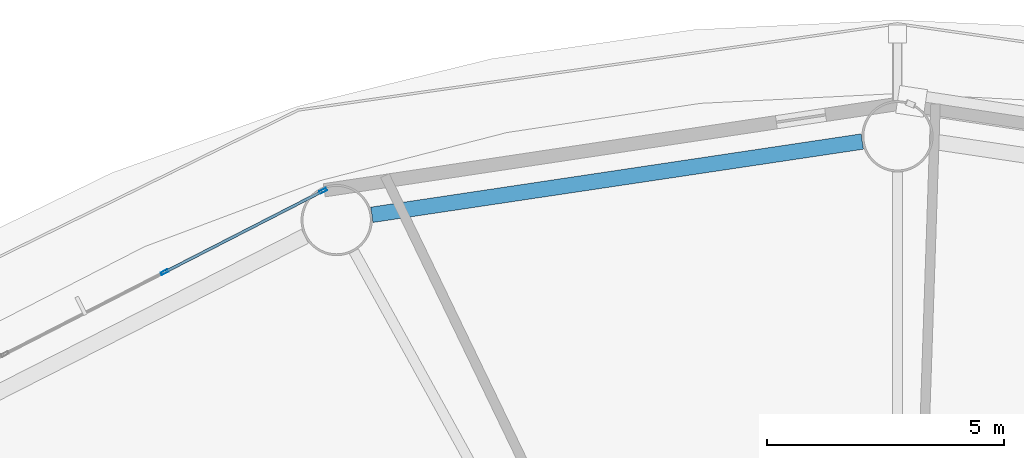
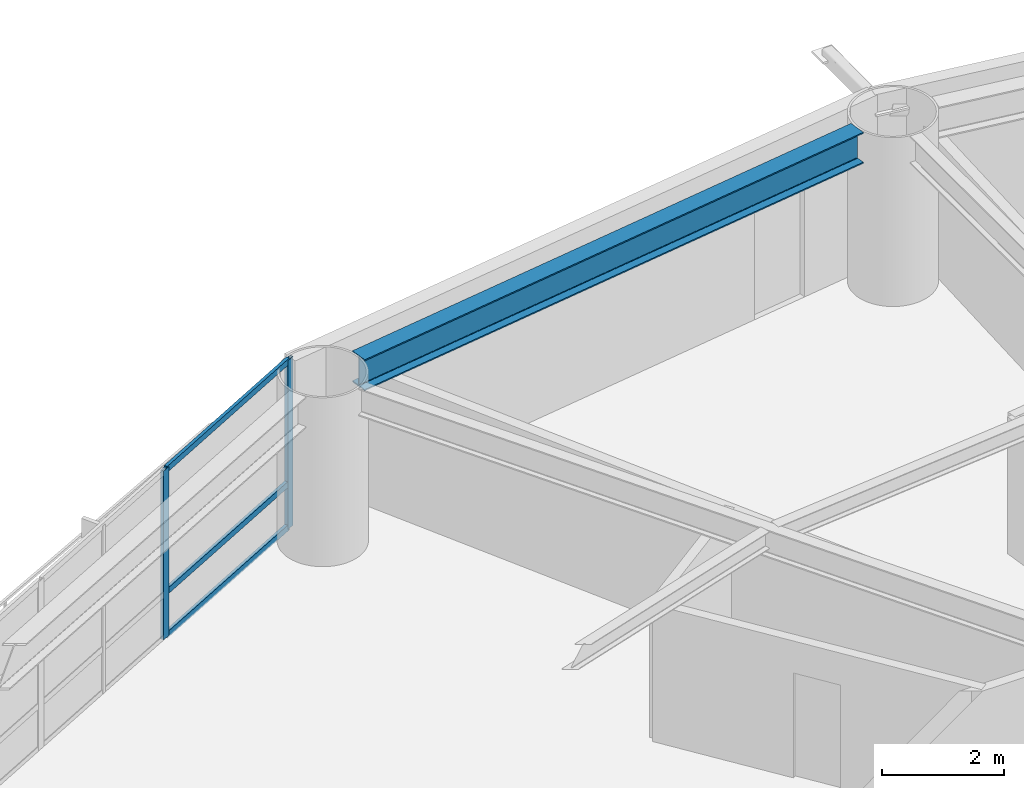
# One storey, part 12 of 28: 5 members, 1 beam, 1 element without a shape of its own.
"""IFC4 building model written with IfcOpenShell, lengths in metres."""

from ifc_helpers import new_model, si_unit, direction, frame, origin, origin_2d, place, context, subcontext, project, spatial, hollow_rectangle, i_section, extrude, material, layer, layer_set, material_profile, profile_set, type_object, element, aggregate, save


model = new_model("IFC4")

# Units and contexts
model_context = context("Model", 3, precision=1e-05, world=origin(), true_north=direction((0.0, 1.0)))
body_context = subcontext(model_context, "Body", "Model", "MODEL_VIEW")
ifc_project = project(units=[si_unit("LENGTHUNIT", "METRE"), si_unit("AREAUNIT", "SQUARE_METRE"), si_unit("VOLUMEUNIT", "CUBIC_METRE"), si_unit("PLANEANGLEUNIT", "RADIAN"), si_unit("MASSUNIT", "GRAM", prefix="KILO")], contexts=[model_context])

# Site, building, storey
site_placement = place(None, origin())
site = spatial("IfcSite", under=ifc_project, at=site_placement, CompositionType="ELEMENT")
building_placement = place(site_placement, origin())
building = spatial("IfcBuilding", under=site, at=building_placement, Name="Sarneth Arch Tower", CompositionType="ELEMENT")
storey_placement = place(building_placement, frame((0.0, 0.0, 31.800048828125)))
storey = spatial("IfcBuildingStorey", under=building, at=storey_placement, Name="L06", CompositionType="ELEMENT", Elevation=31.800048828125)

# Beam
ifc_material_1 = material(Name="Steel S355", Category="steel")
ifc_material_profile_1 = material_profile(ifc_material_1, i_section(OverallWidth=0.326904296875, OverallDepth=0.6220703125, WebThickness=0.015380859375, FlangeThickness=0.0244140625, FilletRadius=0.01904296875, at=origin_2d()), Name="W610x195")
ifc_profile_set_1 = profile_set([ifc_material_profile_1], Name="Steel S355")
beam_type = type_object("IfcBeamType", Name="BM-SPAN-610A", PredefinedType="SPANDREL", material=ifc_profile_set_1)
beam_placement = place(storey_placement, frame((47.25830078125, 65.089111328125, 3.06884765625), z_axis=(-0.989020169581, -0.147780594675, 0.0), x_axis=(0.147780594675, -0.989020169581, 0.0)))
element("IfcBeam", 1, at=beam_placement, inside=storey, type_object=beam_type, Name="L06 Perimeter spandrel beam 05", PredefinedType="SPANDREL", context=body_context, shape_type="SweptSolid", body=[
    extrude(i_section(OverallWidth=0.326904296875, OverallDepth=0.6220703125, WebThickness=0.015380859375, FlangeThickness=0.0244140625, FilletRadius=0.01904296875, at=origin_2d()), origin(), (0.0, 0.0, 1.0), 10.44921875),
])

# Curtain wall, members
ifc_material_2 = material(Name="Anodised aluminium Type AA25 and solar-control low-e laminated IGU", Category="aluminium")
ifc_layer = layer(ifc_material_2, 0.159912109375)
ifc_layer_set = layer_set([ifc_layer], Name="Anodised aluminium Type AA25 and solar-control low-e laminated IGU")
curtain_wall_type = type_object("IfcCurtainWallType", Name="CW-HOTEL-LOW", PredefinedType="NOTDEFINED", material=ifc_layer_set)
curtain_wall_placement = place(storey_placement, origin())
curtain_wall = element("IfcCurtainWall", 2, at=curtain_wall_placement, inside=storey, type_object=curtain_wall_type, Name="L06 Unitised curtain wall facet 06", PredefinedType="NOTDEFINED")
ifc_material_3 = material(Name="Anodised Aluminium 6063-T6", Category="aluminium")
ifc_material_profile_2 = material_profile(ifc_material_3, hollow_rectangle(XDim=0.06005859375, YDim=0.159912109375, WallThickness=0.00390625, at=origin_2d()), Name="AL-MULL-160x60x4")
ifc_profile_set_2 = profile_set([ifc_material_profile_2], Name="Anodised Aluminium 6063-T6")
member_type_1 = type_object("IfcMemberType", Name="CW-MULLION", PredefinedType="MULLION", material=ifc_profile_set_2)
member_1_placement = place(storey_placement, frame((35.8955078125, 64.048583984375, 0.0), z_axis=(0.0, 0.0, 1.0), x_axis=(0.456245197127, -0.889854100456, 0.0)))
member_1 = element("IfcMember", 3, at=member_1_placement, type_object=member_type_1, Name="CW-SYS-3 mullion 1", PredefinedType="MULLION", context=body_context, shape_type="SweptSolid", body=[
    extrude(hollow_rectangle(XDim=0.06005859375, YDim=0.159912109375, WallThickness=0.00390625, at=origin_2d()), origin(), (0.0, 0.0, 1.0), 3.3798828125),
])
member_2_placement = place(storey_placement, frame((32.556640625, 62.336669921875, 0.0), z_axis=(0.0, 0.0, 1.0), x_axis=(0.456245197127, -0.889854100456, 0.0)))
member_2 = element("IfcMember", 4, at=member_2_placement, type_object=member_type_1, Name="CW-SYS-3 mullion 2", PredefinedType="MULLION", context=body_context, shape_type="SweptSolid", body=[
    extrude(hollow_rectangle(XDim=0.06005859375, YDim=0.159912109375, WallThickness=0.00390625, at=origin_2d()), origin(), (0.0, 0.0, 1.0), 3.3798828125),
])
ifc_material_4 = material(Name="Anodised Aluminium 6063-T6", Category="aluminium")
ifc_material_profile_3 = material_profile(ifc_material_4, hollow_rectangle(XDim=0.06005859375, YDim=0.1201171875, WallThickness=0.00390625, at=origin_2d()), Name="AL-TRAN-120x60x4")
ifc_profile_set_3 = profile_set([ifc_material_profile_3], Name="Anodised Aluminium 6063-T6")
member_type_2 = type_object("IfcMemberType", Name="CW-TRANSOM", PredefinedType="USERDEFINED", material=ifc_profile_set_3)
member_3_placement = place(storey_placement, frame((35.86865234375, 64.034912109375, 0.030029296875), z_axis=(-0.889831232102, -0.456289796485, 0.0), x_axis=(0.456289796485, -0.889831232102, 0.0)))
member_3 = element("IfcMember", 5, at=member_3_placement, type_object=member_type_2, Name="CW-SYS-3 transom 1.1", ObjectType="TRANSOM", PredefinedType="USERDEFINED", context=body_context, shape_type="SweptSolid", body=[
    extrude(hollow_rectangle(XDim=0.06005859375, YDim=0.1201171875, WallThickness=0.00390625, at=origin_2d()), origin(), (0.0, 0.0, 1.0), 3.69189453125),
])
member_4_placement = place(storey_placement, frame((35.86865234375, 64.034912109375, 0.89990234375), z_axis=(-0.889831232102, -0.456289796485, 0.0), x_axis=(0.456289796485, -0.889831232102, 0.0)))
member_4 = element("IfcMember", 6, at=member_4_placement, type_object=member_type_2, Name="CW-SYS-3 transom 1.2", ObjectType="TRANSOM", PredefinedType="USERDEFINED", context=body_context, shape_type="SweptSolid", body=[
    extrude(hollow_rectangle(XDim=0.06005859375, YDim=0.1201171875, WallThickness=0.00390625, at=origin_2d()), origin(), (0.0, 0.0, 1.0), 3.69189453125),
])
member_5_placement = place(storey_placement, frame((35.86865234375, 64.034912109375, 3.349853515625), z_axis=(-0.889831232102, -0.456289796485, 0.0), x_axis=(0.456289796485, -0.889831232102, 0.0)))
member_5 = element("IfcMember", 7, at=member_5_placement, type_object=member_type_2, Name="CW-SYS-3 transom 1.3", ObjectType="TRANSOM", PredefinedType="USERDEFINED", context=body_context, shape_type="SweptSolid", body=[
    extrude(hollow_rectangle(XDim=0.06005859375, YDim=0.1201171875, WallThickness=0.00390625, at=origin_2d()), origin(), (0.0, 0.0, 1.0), 3.69189453125),
])
aggregate(curtain_wall, [member_1, member_2, member_3, member_4, member_5])

save(model, "model.ifc")
